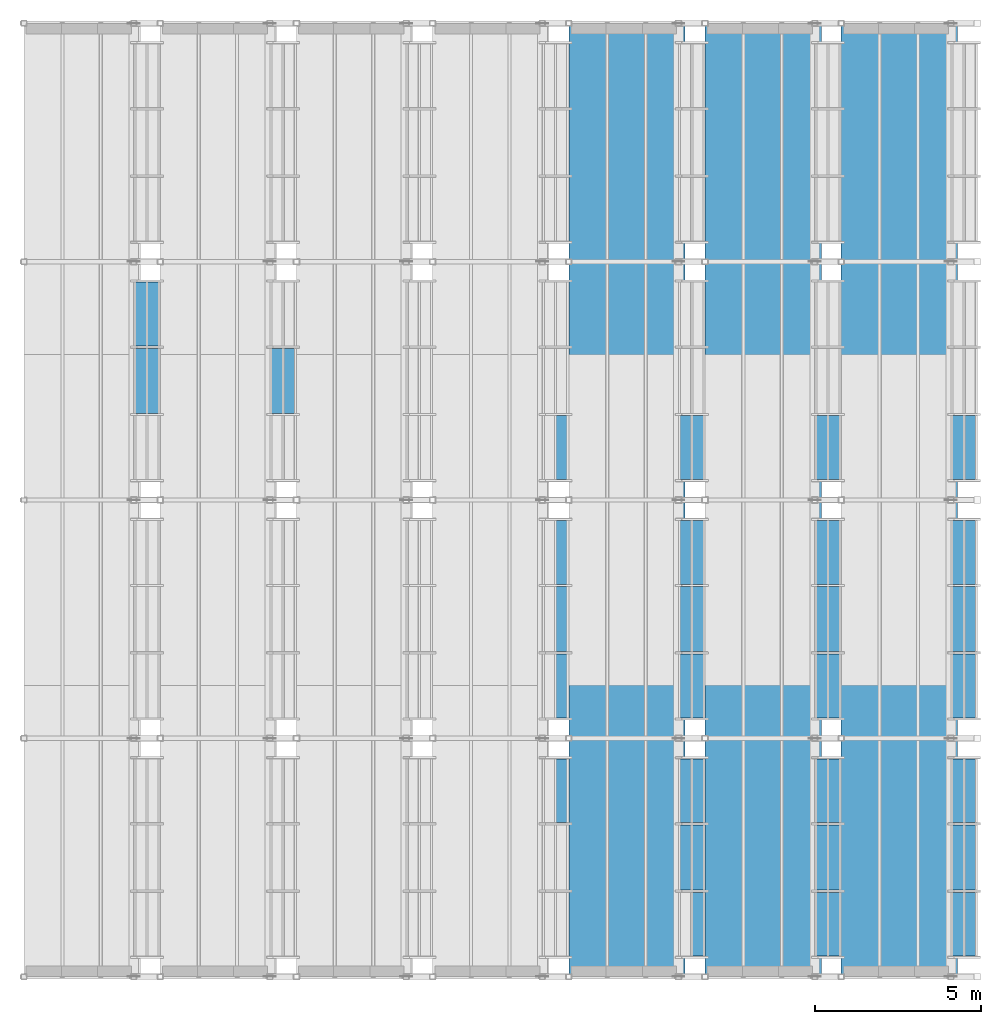
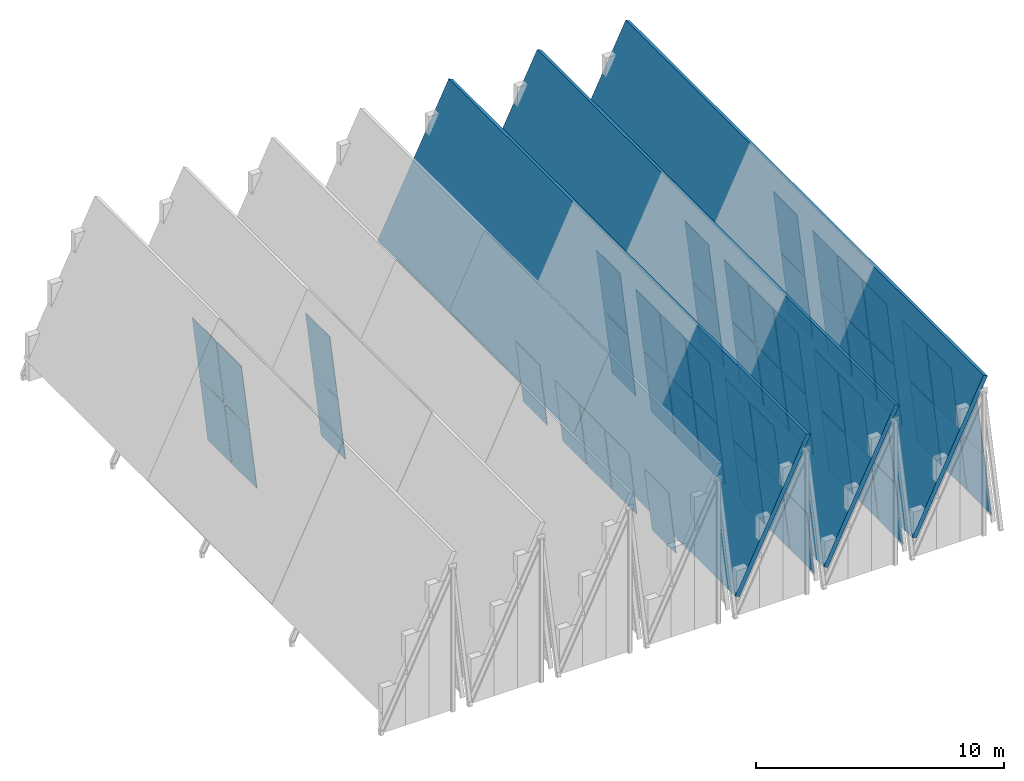
# One storey, part 15 of 28: 52 plates, 3 slabs, 14 elements without a shape of their own.
"""IFC4 building model written with IfcOpenShell, lengths in metres."""

from ifc_helpers import new_model, si_unit, direction, frame, origin, place, context, subcontext, project, spatial, polyline, outline, extrude, material, layer, layer_set, type_object, element, aggregate, save


model = new_model("IFC4")

# Units and contexts
model_context = context("Model", 3, precision=1e-05, world=origin(), true_north=direction((0.0, 1.0)))
body_context = subcontext(model_context, "Body", "Model", "MODEL_VIEW")
ifc_project = project(units=[si_unit("LENGTHUNIT", "METRE"), si_unit("AREAUNIT", "SQUARE_METRE"), si_unit("VOLUMEUNIT", "CUBIC_METRE"), si_unit("PLANEANGLEUNIT", "RADIAN"), si_unit("MASSUNIT", "GRAM", prefix="KILO")], contexts=[model_context])

# Site, building, storey
site_placement = place(None, origin())
site = spatial("IfcSite", under=ifc_project, at=site_placement, CompositionType="ELEMENT")
building_placement = place(site_placement, origin())
building = spatial("IfcBuilding", under=site, at=building_placement, Name="Bramveld Media Centre", CompositionType="ELEMENT")
storey_placement = place(building_placement, frame((0.0, 0.0, 33.89990234375)))
storey = spatial("IfcBuildingStorey", under=building, at=storey_placement, Name="ROOF", CompositionType="ELEMENT", Elevation=33.89990234375)

# Curtain wall, plates
ifc_material_1 = material(Name="Thermally broken anodized bronze aluminium unitized curtain wall with solar-control triple glazing", Category="aluminium")
curtain_wall_type = type_object("IfcCurtainWallType", Name="CW-CRN-6100x6941", PredefinedType="NOTDEFINED", material=ifc_material_1)
curtain_wall_1_placement = place(storey_placement, origin())
curtain_wall_1 = element("IfcCurtainWall", 1, at=curtain_wall_1_placement, inside=storey, type_object=curtain_wall_type, Name="V7 crown clerestory B1-S3", PredefinedType="NOTDEFINED")
ifc_material_2 = material(Name="Solar-control triple insulating safety glass unit", Category="glass")
ifc_layer_1 = layer(ifc_material_2, 0.028076171875)
ifc_layer_set_1 = layer_set([ifc_layer_1], Name="Solar-control triple insulating safety glass unit")
plate_type = type_object("IfcPlateType", Name="CW-PAN-SLP", PredefinedType="CURTAIN_PANEL", material=ifc_layer_set_1)
plate_1_placement = place(storey_placement, frame((135.2783203125, 100.21826171875, 0.290771484375), z_axis=(0.993328224304, 0.0, 0.115321458548), x_axis=(0.0, 1.0, 0.0)))
plate_1 = element("IfcPlate", 2, at=plate_1_placement, type_object=plate_type, Name="CW-CR-6169 glass panel 2.1", PredefinedType="CURTAIN_PANEL", context=body_context, shape_type="SweptSolid", body=[
    extrude(outline(polyline([(0.0, 0.0), (1.96337890625, 0.0), (1.96337890625, 3.122640195590072), (0.0, 3.122640195590072), (0.0, 0.0)])), origin(), (0.0, 0.0, -1.0), 0.028076171875),
])
plate_2_placement = place(storey_placement, frame((134.910400390625, 100.21826171875, 3.462158203125), z_axis=(0.993329263955, 0.0, 0.115312503096), x_axis=(0.0, 1.0, 0.0)))
plate_2 = element("IfcPlate", 3, at=plate_2_placement, type_object=plate_type, Name="CW-CR-6169 glass panel 2.2", PredefinedType="CURTAIN_PANEL", context=body_context, shape_type="SweptSolid", body=[
    extrude(outline(polyline([(0.0, 0.0), (1.96337890625, 0.0), (1.96337890625, 3.1228827074904997), (0.0, 3.1228827074904997), (0.0, 0.0)])), origin(), (0.0, 0.0, -1.0), 0.028076171875),
])
plate_3_placement = place(storey_placement, frame((135.2783203125, 102.251708984375, 0.290771484375), z_axis=(0.993328224304, 0.0, 0.115321458548), x_axis=(0.0, 1.0, 0.0)))
plate_3 = element("IfcPlate", 4, at=plate_3_placement, type_object=plate_type, Name="CW-CR-6169 glass panel 3.1", PredefinedType="CURTAIN_PANEL", context=body_context, shape_type="SweptSolid", body=[
    extrude(outline(polyline([(0.0, 0.0), (1.92822265625, 0.0), (1.92822265625, 3.1226401955900727), (0.0, 3.1226401955900727), (0.0, 0.0)])), origin(), (0.0, 0.0, -1.0), 0.028076171875),
])
plate_4_placement = place(storey_placement, frame((134.910400390625, 102.251708984375, 3.462158203125), z_axis=(0.993329263955, 0.0, 0.115312503096), x_axis=(0.0, 1.0, 0.0)))
plate_4 = element("IfcPlate", 5, at=plate_4_placement, type_object=plate_type, Name="CW-CR-6169 glass panel 3.2", PredefinedType="CURTAIN_PANEL", context=body_context, shape_type="SweptSolid", body=[
    extrude(outline(polyline([(0.0, 0.0), (1.92822265625, 0.0), (1.92822265625, 3.1228827074904997), (0.0, 3.1228827074904997), (0.0, 0.0)])), origin(), (0.0, 0.0, -1.0), 0.028076171875),
])
aggregate(curtain_wall_1, [plate_1, plate_2, plate_3, plate_4])

curtain_wall_2_placement = place(storey_placement, origin())
curtain_wall_2 = element("IfcCurtainWall", 6, at=curtain_wall_2_placement, inside=storey, type_object=curtain_wall_type, Name="V7 crown clerestory B2-S3", PredefinedType="NOTDEFINED")
plate_5_placement = place(storey_placement, frame((139.392578125, 100.21826171875, 0.290771484375), z_axis=(0.993337177532, 0.0, 0.115244313237), x_axis=(0.0, 1.0, 0.0)))
plate_5 = element("IfcPlate", 7, at=plate_5_placement, type_object=plate_type, Name="CW-CR-6169 glass panel 2.1", PredefinedType="CURTAIN_PANEL", context=body_context, shape_type="SweptSolid", body=[
    extrude(outline(polyline([(0.0, 0.0), (1.96337890625, 0.0), (1.96337890625, 3.122612050354217), (0.0, 3.122612050354217), (0.0, 0.0)])), origin(), (0.0, 0.0, -1.0), 0.028076171875),
])
plate_6_placement = place(storey_placement, frame((139.024658203125, 100.21826171875, 3.462158203125), z_axis=(0.993329263955, 0.0, 0.115312503096), x_axis=(0.0, 1.0, 0.0)))
plate_6 = element("IfcPlate", 8, at=plate_6_placement, type_object=plate_type, Name="CW-CR-6169 glass panel 2.2", PredefinedType="CURTAIN_PANEL", context=body_context, shape_type="SweptSolid", body=[
    extrude(outline(polyline([(0.0, 0.0), (1.96337890625, 0.0), (1.96337890625, 3.1228827074904997), (0.0, 3.1228827074904997), (0.0, 0.0)])), origin(), (0.0, 0.0, -1.0), 0.028076171875),
])
aggregate(curtain_wall_2, [plate_5, plate_6])

# Curtain wall, plate
curtain_wall_3_placement = place(storey_placement, origin())
curtain_wall_3 = element("IfcCurtainWall", 9, at=curtain_wall_3_placement, inside=storey, type_object=curtain_wall_type, Name="V7 crown clerestory B4-S1", PredefinedType="NOTDEFINED")
plate_7_placement = place(storey_placement, frame((147.62109375, 87.851806640625, 0.290771484375), z_axis=(0.993337177532, 0.0, 0.115244313237), x_axis=(0.0, 1.0, 0.0)))
plate_7 = element("IfcPlate", 10, at=plate_7_placement, type_object=plate_type, Name="CW-CR-6169 glass panel 3.1", PredefinedType="CURTAIN_PANEL", context=body_context, shape_type="SweptSolid", body=[
    extrude(outline(polyline([(0.0, 0.0), (1.92822265625, 0.0), (1.92822265625, 3.122612050354217), (0.0, 3.122612050354217), (0.0, 0.0)])), origin(), (0.0, 0.0, -1.0), 0.028076171875),
])
aggregate(curtain_wall_3, [plate_7])

# Curtain wall, plates
curtain_wall_4_placement = place(storey_placement, origin())
curtain_wall_4 = element("IfcCurtainWall", 11, at=curtain_wall_4_placement, inside=storey, type_object=curtain_wall_type, Name="V7 crown clerestory B4-S2", PredefinedType="NOTDEFINED")
plate_8_placement = place(storey_placement, frame((147.62109375, 91.02001953125, 0.290771484375), z_axis=(0.993337177532, 0.0, 0.115244313237), x_axis=(0.0, 1.0, 0.0)))
plate_8 = element("IfcPlate", 12, at=plate_8_placement, type_object=plate_type, Name="CW-CR-6169 glass panel 1.1", PredefinedType="CURTAIN_PANEL", context=body_context, shape_type="SweptSolid", body=[
    extrude(outline(polyline([(0.0, 0.0), (1.92822265625, 0.0), (1.92822265625, 3.122612050354217), (0.0, 3.122612050354217), (0.0, 0.0)])), origin(), (0.0, 0.0, -1.0), 0.028076171875),
])
plate_9_placement = place(storey_placement, frame((147.62109375, 93.018310546875, 0.290771484375), z_axis=(0.993337177532, 0.0, 0.115244313237), x_axis=(0.0, 1.0, 0.0)))
plate_9 = element("IfcPlate", 13, at=plate_9_placement, type_object=plate_type, Name="CW-CR-6169 glass panel 2.1", PredefinedType="CURTAIN_PANEL", context=body_context, shape_type="SweptSolid", body=[
    extrude(outline(polyline([(0.0, 0.0), (1.96337890625, 0.0), (1.96337890625, 3.122612050354217), (0.0, 3.122612050354217), (0.0, 0.0)])), origin(), (0.0, 0.0, -1.0), 0.028076171875),
])
plate_10_placement = place(storey_placement, frame((147.62109375, 95.0517578125, 0.290771484375), z_axis=(0.993337177532, 0.0, 0.115244313237), x_axis=(0.0, 1.0, 0.0)))
plate_10 = element("IfcPlate", 14, at=plate_10_placement, type_object=plate_type, Name="CW-CR-6169 glass panel 3.1", PredefinedType="CURTAIN_PANEL", context=body_context, shape_type="SweptSolid", body=[
    extrude(outline(polyline([(0.0, 0.0), (1.92822265625, 0.0), (1.92822265625, 3.122612050354217), (0.0, 3.122612050354217), (0.0, 0.0)])), origin(), (0.0, 0.0, -1.0), 0.028076171875),
])
aggregate(curtain_wall_4, [plate_8, plate_9, plate_10])

# Curtain wall, plate
curtain_wall_5_placement = place(storey_placement, origin())
curtain_wall_5 = element("IfcCurtainWall", 15, at=curtain_wall_5_placement, inside=storey, type_object=curtain_wall_type, Name="V7 crown clerestory B4-S3", PredefinedType="NOTDEFINED")
plate_11_placement = place(storey_placement, frame((147.62109375, 98.219970703125, 0.290771484375), z_axis=(0.993337177532, 0.0, 0.115244313237), x_axis=(0.0, 1.0, 0.0)))
plate_11 = element("IfcPlate", 16, at=plate_11_placement, type_object=plate_type, Name="CW-CR-6169 glass panel 1.1", PredefinedType="CURTAIN_PANEL", context=body_context, shape_type="SweptSolid", body=[
    extrude(outline(polyline([(0.0, 0.0), (1.92822265625, 0.0), (1.92822265625, 3.122612050354217), (0.0, 3.122612050354217), (0.0, 0.0)])), origin(), (0.0, 0.0, -1.0), 0.028076171875),
])
aggregate(curtain_wall_5, [plate_11])

# Curtain wall, plates
curtain_wall_6_placement = place(storey_placement, origin())
curtain_wall_6 = element("IfcCurtainWall", 17, at=curtain_wall_6_placement, inside=storey, type_object=curtain_wall_type, Name="V7 crown clerestory B5-S1", PredefinedType="NOTDEFINED")
plate_12_placement = place(storey_placement, frame((151.7353515625, 83.820068359375, 0.290771484375), z_axis=(0.993337177532, 0.0, 0.115244313237), x_axis=(0.0, 1.0, 0.0)))
plate_12 = element("IfcPlate", 18, at=plate_12_placement, type_object=plate_type, Name="CW-CR-6169 glass panel 1.1", PredefinedType="CURTAIN_PANEL", context=body_context, shape_type="SweptSolid", body=[
    extrude(outline(polyline([(0.0, 0.0), (1.92822265625, 0.0), (1.92822265625, 3.122612050354217), (0.0, 3.122612050354217), (0.0, 0.0)])), origin(), (0.0, 0.0, -1.0), 0.028076171875),
])
plate_13_placement = place(storey_placement, frame((151.7353515625, 85.818359375, 0.290771484375), z_axis=(0.993337177532, 0.0, 0.115244313237), x_axis=(0.0, 1.0, 0.0)))
plate_13 = element("IfcPlate", 19, at=plate_13_placement, type_object=plate_type, Name="CW-CR-6169 glass panel 2.1", PredefinedType="CURTAIN_PANEL", context=body_context, shape_type="SweptSolid", body=[
    extrude(outline(polyline([(0.0, 0.0), (1.96337890625, 0.0), (1.96337890625, 3.122612050354217), (0.0, 3.122612050354217), (0.0, 0.0)])), origin(), (0.0, 0.0, -1.0), 0.028076171875),
])
plate_14_placement = place(storey_placement, frame((151.367431640625, 85.818359375, 3.462158203125), z_axis=(0.993329263955, 0.0, 0.115312503096), x_axis=(0.0, 1.0, 0.0)))
plate_14 = element("IfcPlate", 20, at=plate_14_placement, type_object=plate_type, Name="CW-CR-6169 glass panel 2.2", PredefinedType="CURTAIN_PANEL", context=body_context, shape_type="SweptSolid", body=[
    extrude(outline(polyline([(0.0, 0.0), (1.96337890625, 0.0), (1.96337890625, 3.1228827074904997), (0.0, 3.1228827074904997), (0.0, 0.0)])), origin(), (0.0, 0.0, -1.0), 0.028076171875),
])
plate_15_placement = place(storey_placement, frame((151.7353515625, 87.851806640625, 0.290771484375), z_axis=(0.993337177532, 0.0, 0.115244313237), x_axis=(0.0, 1.0, 0.0)))
plate_15 = element("IfcPlate", 21, at=plate_15_placement, type_object=plate_type, Name="CW-CR-6169 glass panel 3.1", PredefinedType="CURTAIN_PANEL", context=body_context, shape_type="SweptSolid", body=[
    extrude(outline(polyline([(0.0, 0.0), (1.92822265625, 0.0), (1.92822265625, 3.122612050354217), (0.0, 3.122612050354217), (0.0, 0.0)])), origin(), (0.0, 0.0, -1.0), 0.028076171875),
])
plate_16_placement = place(storey_placement, frame((151.367431640625, 87.851806640625, 3.462158203125), z_axis=(0.993329263955, 0.0, 0.115312503096), x_axis=(0.0, 1.0, 0.0)))
plate_16 = element("IfcPlate", 22, at=plate_16_placement, type_object=plate_type, Name="CW-CR-6169 glass panel 3.2", PredefinedType="CURTAIN_PANEL", context=body_context, shape_type="SweptSolid", body=[
    extrude(outline(polyline([(0.0, 0.0), (1.92822265625, 0.0), (1.92822265625, 3.1228827074904997), (0.0, 3.1228827074904997), (0.0, 0.0)])), origin(), (0.0, 0.0, -1.0), 0.028076171875),
])
aggregate(curtain_wall_6, [plate_12, plate_13, plate_14, plate_15, plate_16])

curtain_wall_7_placement = place(storey_placement, origin())
curtain_wall_7 = element("IfcCurtainWall", 23, at=curtain_wall_7_placement, inside=storey, type_object=curtain_wall_type, Name="V7 crown clerestory B5-S2", PredefinedType="NOTDEFINED")
plate_17_placement = place(storey_placement, frame((151.7353515625, 91.02001953125, 0.290771484375), z_axis=(0.993337177532, 0.0, 0.115244313237), x_axis=(0.0, 1.0, 0.0)))
plate_17 = element("IfcPlate", 24, at=plate_17_placement, type_object=plate_type, Name="CW-CR-6169 glass panel 1.1", PredefinedType="CURTAIN_PANEL", context=body_context, shape_type="SweptSolid", body=[
    extrude(outline(polyline([(0.0, 0.0), (1.92822265625, 0.0), (1.92822265625, 3.122612050354217), (0.0, 3.122612050354217), (0.0, 0.0)])), origin(), (0.0, 0.0, -1.0), 0.028076171875),
])
plate_18_placement = place(storey_placement, frame((151.367431640625, 91.02001953125, 3.462158203125), z_axis=(0.993329263955, 0.0, 0.115312503096), x_axis=(0.0, 1.0, 0.0)))
plate_18 = element("IfcPlate", 25, at=plate_18_placement, type_object=plate_type, Name="CW-CR-6169 glass panel 1.2", PredefinedType="CURTAIN_PANEL", context=body_context, shape_type="SweptSolid", body=[
    extrude(outline(polyline([(0.0, 0.0), (1.92822265625, 0.0), (1.92822265625, 3.1228827074904997), (0.0, 3.1228827074904997), (0.0, 0.0)])), origin(), (0.0, 0.0, -1.0), 0.028076171875),
])
plate_19_placement = place(storey_placement, frame((151.7353515625, 93.018310546875, 0.290771484375), z_axis=(0.993337177532, 0.0, 0.115244313237), x_axis=(0.0, 1.0, 0.0)))
plate_19 = element("IfcPlate", 26, at=plate_19_placement, type_object=plate_type, Name="CW-CR-6169 glass panel 2.1", PredefinedType="CURTAIN_PANEL", context=body_context, shape_type="SweptSolid", body=[
    extrude(outline(polyline([(0.0, 0.0), (1.96337890625, 0.0), (1.96337890625, 3.122612050354217), (0.0, 3.122612050354217), (0.0, 0.0)])), origin(), (0.0, 0.0, -1.0), 0.028076171875),
])
plate_20_placement = place(storey_placement, frame((151.367431640625, 93.018310546875, 3.462158203125), z_axis=(0.993329263955, 0.0, 0.115312503096), x_axis=(0.0, 1.0, 0.0)))
plate_20 = element("IfcPlate", 27, at=plate_20_placement, type_object=plate_type, Name="CW-CR-6169 glass panel 2.2", PredefinedType="CURTAIN_PANEL", context=body_context, shape_type="SweptSolid", body=[
    extrude(outline(polyline([(0.0, 0.0), (1.96337890625, 0.0), (1.96337890625, 3.1228827074904997), (0.0, 3.1228827074904997), (0.0, 0.0)])), origin(), (0.0, 0.0, -1.0), 0.028076171875),
])
plate_21_placement = place(storey_placement, frame((151.7353515625, 95.0517578125, 0.290771484375), z_axis=(0.993337177532, 0.0, 0.115244313237), x_axis=(0.0, 1.0, 0.0)))
plate_21 = element("IfcPlate", 28, at=plate_21_placement, type_object=plate_type, Name="CW-CR-6169 glass panel 3.1", PredefinedType="CURTAIN_PANEL", context=body_context, shape_type="SweptSolid", body=[
    extrude(outline(polyline([(0.0, 0.0), (1.92822265625, 0.0), (1.92822265625, 3.122612050354217), (0.0, 3.122612050354217), (0.0, 0.0)])), origin(), (0.0, 0.0, -1.0), 0.028076171875),
])
plate_22_placement = place(storey_placement, frame((151.367431640625, 95.0517578125, 3.462158203125), z_axis=(0.993329263955, 0.0, 0.115312503096), x_axis=(0.0, 1.0, 0.0)))
plate_22 = element("IfcPlate", 29, at=plate_22_placement, type_object=plate_type, Name="CW-CR-6169 glass panel 3.2", PredefinedType="CURTAIN_PANEL", context=body_context, shape_type="SweptSolid", body=[
    extrude(outline(polyline([(0.0, 0.0), (1.92822265625, 0.0), (1.92822265625, 3.1228827074904997), (0.0, 3.1228827074904997), (0.0, 0.0)])), origin(), (0.0, 0.0, -1.0), 0.028076171875),
])
aggregate(curtain_wall_7, [plate_17, plate_18, plate_19, plate_20, plate_21, plate_22])

curtain_wall_8_placement = place(storey_placement, origin())
curtain_wall_8 = element("IfcCurtainWall", 30, at=curtain_wall_8_placement, inside=storey, type_object=curtain_wall_type, Name="V7 crown clerestory B5-S3", PredefinedType="NOTDEFINED")
plate_23_placement = place(storey_placement, frame((151.7353515625, 98.219970703125, 0.290771484375), z_axis=(0.993337177532, 0.0, 0.115244313237), x_axis=(0.0, 1.0, 0.0)))
plate_23 = element("IfcPlate", 31, at=plate_23_placement, type_object=plate_type, Name="CW-CR-6169 glass panel 1.1", PredefinedType="CURTAIN_PANEL", context=body_context, shape_type="SweptSolid", body=[
    extrude(outline(polyline([(0.0, 0.0), (1.92822265625, 0.0), (1.92822265625, 3.122612050354217), (0.0, 3.122612050354217), (0.0, 0.0)])), origin(), (0.0, 0.0, -1.0), 0.028076171875),
])
plate_24_placement = place(storey_placement, frame((151.367431640625, 98.219970703125, 3.462158203125), z_axis=(0.993329263955, 0.0, 0.115312503096), x_axis=(0.0, 1.0, 0.0)))
plate_24 = element("IfcPlate", 32, at=plate_24_placement, type_object=plate_type, Name="CW-CR-6169 glass panel 1.2", PredefinedType="CURTAIN_PANEL", context=body_context, shape_type="SweptSolid", body=[
    extrude(outline(polyline([(0.0, 0.0), (1.92822265625, 0.0), (1.92822265625, 3.1228827074904997), (0.0, 3.1228827074904997), (0.0, 0.0)])), origin(), (0.0, 0.0, -1.0), 0.028076171875),
])
aggregate(curtain_wall_8, [plate_23, plate_24])

curtain_wall_9_placement = place(storey_placement, origin())
curtain_wall_9 = element("IfcCurtainWall", 33, at=curtain_wall_9_placement, inside=storey, type_object=curtain_wall_type, Name="V7 crown clerestory B6-S1", PredefinedType="NOTDEFINED")
plate_25_placement = place(storey_placement, frame((155.849609375, 83.820068359375, 0.290771484375), z_axis=(0.993337177532, 0.0, 0.115244313237), x_axis=(0.0, 1.0, 0.0)))
plate_25 = element("IfcPlate", 34, at=plate_25_placement, type_object=plate_type, Name="CW-CR-6169 glass panel 1.1", PredefinedType="CURTAIN_PANEL", context=body_context, shape_type="SweptSolid", body=[
    extrude(outline(polyline([(0.0, 0.0), (1.92822265625, 0.0), (1.92822265625, 3.122612050354217), (0.0, 3.122612050354217), (0.0, 0.0)])), origin(), (0.0, 0.0, -1.0), 0.028076171875),
])
plate_26_placement = place(storey_placement, frame((155.481689453125, 83.820068359375, 3.462158203125), z_axis=(0.993329263955, 0.0, 0.115312503096), x_axis=(0.0, 1.0, 0.0)))
plate_26 = element("IfcPlate", 35, at=plate_26_placement, type_object=plate_type, Name="CW-CR-6169 glass panel 1.2", PredefinedType="CURTAIN_PANEL", context=body_context, shape_type="SweptSolid", body=[
    extrude(outline(polyline([(0.0, 0.0), (1.92822265625, 0.0), (1.92822265625, 3.1228827074904997), (0.0, 3.1228827074904997), (0.0, 0.0)])), origin(), (0.0, 0.0, -1.0), 0.028076171875),
])
plate_27_placement = place(storey_placement, frame((155.849609375, 85.818359375, 0.290771484375), z_axis=(0.993337177532, 0.0, 0.115244313237), x_axis=(0.0, 1.0, 0.0)))
plate_27 = element("IfcPlate", 36, at=plate_27_placement, type_object=plate_type, Name="CW-CR-6169 glass panel 2.1", PredefinedType="CURTAIN_PANEL", context=body_context, shape_type="SweptSolid", body=[
    extrude(outline(polyline([(0.0, 0.0), (1.96337890625, 0.0), (1.96337890625, 3.122612050354217), (0.0, 3.122612050354217), (0.0, 0.0)])), origin(), (0.0, 0.0, -1.0), 0.028076171875),
])
plate_28_placement = place(storey_placement, frame((155.481689453125, 85.818359375, 3.462158203125), z_axis=(0.993329263955, 0.0, 0.115312503096), x_axis=(0.0, 1.0, 0.0)))
plate_28 = element("IfcPlate", 37, at=plate_28_placement, type_object=plate_type, Name="CW-CR-6169 glass panel 2.2", PredefinedType="CURTAIN_PANEL", context=body_context, shape_type="SweptSolid", body=[
    extrude(outline(polyline([(0.0, 0.0), (1.96337890625, 0.0), (1.96337890625, 3.1228827074904997), (0.0, 3.1228827074904997), (0.0, 0.0)])), origin(), (0.0, 0.0, -1.0), 0.028076171875),
])
plate_29_placement = place(storey_placement, frame((155.849609375, 87.851806640625, 0.290771484375), z_axis=(0.993337177532, 0.0, 0.115244313237), x_axis=(0.0, 1.0, 0.0)))
plate_29 = element("IfcPlate", 38, at=plate_29_placement, type_object=plate_type, Name="CW-CR-6169 glass panel 3.1", PredefinedType="CURTAIN_PANEL", context=body_context, shape_type="SweptSolid", body=[
    extrude(outline(polyline([(0.0, 0.0), (1.92822265625, 0.0), (1.92822265625, 3.122612050354217), (0.0, 3.122612050354217), (0.0, 0.0)])), origin(), (0.0, 0.0, -1.0), 0.028076171875),
])
plate_30_placement = place(storey_placement, frame((155.481689453125, 87.851806640625, 3.462158203125), z_axis=(0.993329263955, 0.0, 0.115312503096), x_axis=(0.0, 1.0, 0.0)))
plate_30 = element("IfcPlate", 39, at=plate_30_placement, type_object=plate_type, Name="CW-CR-6169 glass panel 3.2", PredefinedType="CURTAIN_PANEL", context=body_context, shape_type="SweptSolid", body=[
    extrude(outline(polyline([(0.0, 0.0), (1.92822265625, 0.0), (1.92822265625, 3.1228827074904997), (0.0, 3.1228827074904997), (0.0, 0.0)])), origin(), (0.0, 0.0, -1.0), 0.028076171875),
])
aggregate(curtain_wall_9, [plate_25, plate_26, plate_27, plate_28, plate_29, plate_30])

curtain_wall_10_placement = place(storey_placement, origin())
curtain_wall_10 = element("IfcCurtainWall", 40, at=curtain_wall_10_placement, inside=storey, type_object=curtain_wall_type, Name="V7 crown clerestory B6-S2", PredefinedType="NOTDEFINED")
plate_31_placement = place(storey_placement, frame((155.849609375, 91.02001953125, 0.290771484375), z_axis=(0.993337177532, 0.0, 0.115244313237), x_axis=(0.0, 1.0, 0.0)))
plate_31 = element("IfcPlate", 41, at=plate_31_placement, type_object=plate_type, Name="CW-CR-6169 glass panel 1.1", PredefinedType="CURTAIN_PANEL", context=body_context, shape_type="SweptSolid", body=[
    extrude(outline(polyline([(0.0, 0.0), (1.92822265625, 0.0), (1.92822265625, 3.122612050354217), (0.0, 3.122612050354217), (0.0, 0.0)])), origin(), (0.0, 0.0, -1.0), 0.028076171875),
])
plate_32_placement = place(storey_placement, frame((155.481689453125, 91.02001953125, 3.462158203125), z_axis=(0.993329263955, 0.0, 0.115312503096), x_axis=(0.0, 1.0, 0.0)))
plate_32 = element("IfcPlate", 42, at=plate_32_placement, type_object=plate_type, Name="CW-CR-6169 glass panel 1.2", PredefinedType="CURTAIN_PANEL", context=body_context, shape_type="SweptSolid", body=[
    extrude(outline(polyline([(0.0, 0.0), (1.92822265625, 0.0), (1.92822265625, 3.1228827074904997), (0.0, 3.1228827074904997), (0.0, 0.0)])), origin(), (0.0, 0.0, -1.0), 0.028076171875),
])
plate_33_placement = place(storey_placement, frame((155.849609375, 93.018310546875, 0.290771484375), z_axis=(0.993337177532, 0.0, 0.115244313237), x_axis=(0.0, 1.0, 0.0)))
plate_33 = element("IfcPlate", 43, at=plate_33_placement, type_object=plate_type, Name="CW-CR-6169 glass panel 2.1", PredefinedType="CURTAIN_PANEL", context=body_context, shape_type="SweptSolid", body=[
    extrude(outline(polyline([(0.0, 0.0), (1.96337890625, 0.0), (1.96337890625, 3.122612050354217), (0.0, 3.122612050354217), (0.0, 0.0)])), origin(), (0.0, 0.0, -1.0), 0.028076171875),
])
plate_34_placement = place(storey_placement, frame((155.481689453125, 93.018310546875, 3.462158203125), z_axis=(0.993329263955, 0.0, 0.115312503096), x_axis=(0.0, 1.0, 0.0)))
plate_34 = element("IfcPlate", 44, at=plate_34_placement, type_object=plate_type, Name="CW-CR-6169 glass panel 2.2", PredefinedType="CURTAIN_PANEL", context=body_context, shape_type="SweptSolid", body=[
    extrude(outline(polyline([(0.0, 0.0), (1.96337890625, 0.0), (1.96337890625, 3.1228827074904997), (0.0, 3.1228827074904997), (0.0, 0.0)])), origin(), (0.0, 0.0, -1.0), 0.028076171875),
])
plate_35_placement = place(storey_placement, frame((155.849609375, 95.0517578125, 0.290771484375), z_axis=(0.993337177532, 0.0, 0.115244313237), x_axis=(0.0, 1.0, 0.0)))
plate_35 = element("IfcPlate", 45, at=plate_35_placement, type_object=plate_type, Name="CW-CR-6169 glass panel 3.1", PredefinedType="CURTAIN_PANEL", context=body_context, shape_type="SweptSolid", body=[
    extrude(outline(polyline([(0.0, 0.0), (1.92822265625, 0.0), (1.92822265625, 3.122612050354217), (0.0, 3.122612050354217), (0.0, 0.0)])), origin(), (0.0, 0.0, -1.0), 0.028076171875),
])
plate_36_placement = place(storey_placement, frame((155.481689453125, 95.0517578125, 3.462158203125), z_axis=(0.993329263955, 0.0, 0.115312503096), x_axis=(0.0, 1.0, 0.0)))
plate_36 = element("IfcPlate", 46, at=plate_36_placement, type_object=plate_type, Name="CW-CR-6169 glass panel 3.2", PredefinedType="CURTAIN_PANEL", context=body_context, shape_type="SweptSolid", body=[
    extrude(outline(polyline([(0.0, 0.0), (1.92822265625, 0.0), (1.92822265625, 3.1228827074904997), (0.0, 3.1228827074904997), (0.0, 0.0)])), origin(), (0.0, 0.0, -1.0), 0.028076171875),
])
aggregate(curtain_wall_10, [plate_31, plate_32, plate_33, plate_34, plate_35, plate_36])

curtain_wall_11_placement = place(storey_placement, origin())
curtain_wall_11 = element("IfcCurtainWall", 47, at=curtain_wall_11_placement, inside=storey, type_object=curtain_wall_type, Name="V7 crown clerestory B6-S3", PredefinedType="NOTDEFINED")
plate_37_placement = place(storey_placement, frame((155.849609375, 98.219970703125, 0.290771484375), z_axis=(0.993337177532, 0.0, 0.115244313237), x_axis=(0.0, 1.0, 0.0)))
plate_37 = element("IfcPlate", 48, at=plate_37_placement, type_object=plate_type, Name="CW-CR-6169 glass panel 1.1", PredefinedType="CURTAIN_PANEL", context=body_context, shape_type="SweptSolid", body=[
    extrude(outline(polyline([(0.0, 0.0), (1.92822265625, 0.0), (1.92822265625, 3.122612050354217), (0.0, 3.122612050354217), (0.0, 0.0)])), origin(), (0.0, 0.0, -1.0), 0.028076171875),
])
plate_38_placement = place(storey_placement, frame((155.481689453125, 98.219970703125, 3.462158203125), z_axis=(0.993329263955, 0.0, 0.115312503096), x_axis=(0.0, 1.0, 0.0)))
plate_38 = element("IfcPlate", 49, at=plate_38_placement, type_object=plate_type, Name="CW-CR-6169 glass panel 1.2", PredefinedType="CURTAIN_PANEL", context=body_context, shape_type="SweptSolid", body=[
    extrude(outline(polyline([(0.0, 0.0), (1.92822265625, 0.0), (1.92822265625, 3.1228827074904997), (0.0, 3.1228827074904997), (0.0, 0.0)])), origin(), (0.0, 0.0, -1.0), 0.028076171875),
])
aggregate(curtain_wall_11, [plate_37, plate_38])

curtain_wall_12_placement = place(storey_placement, origin())
curtain_wall_12 = element("IfcCurtainWall", 50, at=curtain_wall_12_placement, inside=storey, type_object=curtain_wall_type, Name="V7 crown clerestory B7-S1", PredefinedType="NOTDEFINED")
plate_39_placement = place(storey_placement, frame((159.964111328125, 83.820068359375, 0.290771484375), z_axis=(0.993328224304, 0.0, 0.115321458548), x_axis=(0.0, 1.0, 0.0)))
plate_39 = element("IfcPlate", 51, at=plate_39_placement, type_object=plate_type, Name="CW-CR-6169 glass panel 1.1", PredefinedType="CURTAIN_PANEL", context=body_context, shape_type="SweptSolid", body=[
    extrude(outline(polyline([(0.0, 0.0), (1.92822265625, 0.0), (1.92822265625, 3.1226401955900727), (0.0, 3.1226401955900727), (0.0, 0.0)])), origin(), (0.0, 0.0, -1.0), 0.028076171875),
])
plate_40_placement = place(storey_placement, frame((159.595947265625, 83.820068359375, 3.462158203125), z_axis=(0.993338215802, 0.0, 0.115235363615), x_axis=(0.0, 1.0, 0.0)))
plate_40 = element("IfcPlate", 52, at=plate_40_placement, type_object=plate_type, Name="CW-CR-6169 glass panel 1.2", PredefinedType="CURTAIN_PANEL", context=body_context, shape_type="SweptSolid", body=[
    extrude(outline(polyline([(0.0, 0.0), (1.92822265625, 0.0), (1.92822265625, 3.1228545644403223), (0.0, 3.1228545644403223), (0.0, 0.0)])), origin(), (0.0, 0.0, -1.0), 0.028076171875),
])
plate_41_placement = place(storey_placement, frame((159.964111328125, 85.818359375, 0.290771484375), z_axis=(0.993328224304, 0.0, 0.115321458548), x_axis=(0.0, 1.0, 0.0)))
plate_41 = element("IfcPlate", 53, at=plate_41_placement, type_object=plate_type, Name="CW-CR-6169 glass panel 2.1", PredefinedType="CURTAIN_PANEL", context=body_context, shape_type="SweptSolid", body=[
    extrude(outline(polyline([(0.0, 0.0), (1.96337890625, 0.0), (1.96337890625, 3.122640195590072), (0.0, 3.122640195590072), (0.0, 0.0)])), origin(), (0.0, 0.0, -1.0), 0.028076171875),
])
plate_42_placement = place(storey_placement, frame((159.595947265625, 85.818359375, 3.462158203125), z_axis=(0.993338215802, 0.0, 0.115235363615), x_axis=(0.0, 1.0, 0.0)))
plate_42 = element("IfcPlate", 54, at=plate_42_placement, type_object=plate_type, Name="CW-CR-6169 glass panel 2.2", PredefinedType="CURTAIN_PANEL", context=body_context, shape_type="SweptSolid", body=[
    extrude(outline(polyline([(0.0, 0.0), (1.96337890625, 0.0), (1.96337890625, 3.122854564440322), (0.0, 3.122854564440322), (0.0, 0.0)])), origin(), (0.0, 0.0, -1.0), 0.028076171875),
])
plate_43_placement = place(storey_placement, frame((159.964111328125, 87.851806640625, 0.290771484375), z_axis=(0.993328224304, 0.0, 0.115321458548), x_axis=(0.0, 1.0, 0.0)))
plate_43 = element("IfcPlate", 55, at=plate_43_placement, type_object=plate_type, Name="CW-CR-6169 glass panel 3.1", PredefinedType="CURTAIN_PANEL", context=body_context, shape_type="SweptSolid", body=[
    extrude(outline(polyline([(0.0, 0.0), (1.92822265625, 0.0), (1.92822265625, 3.1226401955900727), (0.0, 3.1226401955900727), (0.0, 0.0)])), origin(), (0.0, 0.0, -1.0), 0.028076171875),
])
plate_44_placement = place(storey_placement, frame((159.595947265625, 87.851806640625, 3.462158203125), z_axis=(0.993338215802, 0.0, 0.115235363615), x_axis=(0.0, 1.0, 0.0)))
plate_44 = element("IfcPlate", 56, at=plate_44_placement, type_object=plate_type, Name="CW-CR-6169 glass panel 3.2", PredefinedType="CURTAIN_PANEL", context=body_context, shape_type="SweptSolid", body=[
    extrude(outline(polyline([(0.0, 0.0), (1.92822265625, 0.0), (1.92822265625, 3.1228545644403223), (0.0, 3.1228545644403223), (0.0, 0.0)])), origin(), (0.0, 0.0, -1.0), 0.028076171875),
])
aggregate(curtain_wall_12, [plate_39, plate_40, plate_41, plate_42, plate_43, plate_44])

curtain_wall_13_placement = place(storey_placement, origin())
curtain_wall_13 = element("IfcCurtainWall", 57, at=curtain_wall_13_placement, inside=storey, type_object=curtain_wall_type, Name="V7 crown clerestory B7-S2", PredefinedType="NOTDEFINED")
plate_45_placement = place(storey_placement, frame((159.964111328125, 91.02001953125, 0.290771484375), z_axis=(0.993328224304, 0.0, 0.115321458548), x_axis=(0.0, 1.0, 0.0)))
plate_45 = element("IfcPlate", 58, at=plate_45_placement, type_object=plate_type, Name="CW-CR-6169 glass panel 1.1", PredefinedType="CURTAIN_PANEL", context=body_context, shape_type="SweptSolid", body=[
    extrude(outline(polyline([(0.0, 0.0), (1.92822265625, 0.0), (1.92822265625, 3.1226401955900727), (0.0, 3.1226401955900727), (0.0, 0.0)])), origin(), (0.0, 0.0, -1.0), 0.028076171875),
])
plate_46_placement = place(storey_placement, frame((159.595947265625, 91.02001953125, 3.462158203125), z_axis=(0.993338215802, 0.0, 0.115235363615), x_axis=(0.0, 1.0, 0.0)))
plate_46 = element("IfcPlate", 59, at=plate_46_placement, type_object=plate_type, Name="CW-CR-6169 glass panel 1.2", PredefinedType="CURTAIN_PANEL", context=body_context, shape_type="SweptSolid", body=[
    extrude(outline(polyline([(0.0, 0.0), (1.92822265625, 0.0), (1.92822265625, 3.1228545644403223), (0.0, 3.1228545644403223), (0.0, 0.0)])), origin(), (0.0, 0.0, -1.0), 0.028076171875),
])
plate_47_placement = place(storey_placement, frame((159.964111328125, 93.018310546875, 0.290771484375), z_axis=(0.993328224304, 0.0, 0.115321458548), x_axis=(0.0, 1.0, 0.0)))
plate_47 = element("IfcPlate", 60, at=plate_47_placement, type_object=plate_type, Name="CW-CR-6169 glass panel 2.1", PredefinedType="CURTAIN_PANEL", context=body_context, shape_type="SweptSolid", body=[
    extrude(outline(polyline([(0.0, 0.0), (1.96337890625, 0.0), (1.96337890625, 3.122640195590072), (0.0, 3.122640195590072), (0.0, 0.0)])), origin(), (0.0, 0.0, -1.0), 0.028076171875),
])
plate_48_placement = place(storey_placement, frame((159.595947265625, 93.018310546875, 3.462158203125), z_axis=(0.993338215802, 0.0, 0.115235363615), x_axis=(0.0, 1.0, 0.0)))
plate_48 = element("IfcPlate", 61, at=plate_48_placement, type_object=plate_type, Name="CW-CR-6169 glass panel 2.2", PredefinedType="CURTAIN_PANEL", context=body_context, shape_type="SweptSolid", body=[
    extrude(outline(polyline([(0.0, 0.0), (1.96337890625, 0.0), (1.96337890625, 3.122854564440322), (0.0, 3.122854564440322), (0.0, 0.0)])), origin(), (0.0, 0.0, -1.0), 0.028076171875),
])
plate_49_placement = place(storey_placement, frame((159.964111328125, 95.0517578125, 0.290771484375), z_axis=(0.993328224304, 0.0, 0.115321458548), x_axis=(0.0, 1.0, 0.0)))
plate_49 = element("IfcPlate", 62, at=plate_49_placement, type_object=plate_type, Name="CW-CR-6169 glass panel 3.1", PredefinedType="CURTAIN_PANEL", context=body_context, shape_type="SweptSolid", body=[
    extrude(outline(polyline([(0.0, 0.0), (1.92822265625, 0.0), (1.92822265625, 3.1226401955900727), (0.0, 3.1226401955900727), (0.0, 0.0)])), origin(), (0.0, 0.0, -1.0), 0.028076171875),
])
plate_50_placement = place(storey_placement, frame((159.595947265625, 95.0517578125, 3.462158203125), z_axis=(0.993338215802, 0.0, 0.115235363615), x_axis=(0.0, 1.0, 0.0)))
plate_50 = element("IfcPlate", 63, at=plate_50_placement, type_object=plate_type, Name="CW-CR-6169 glass panel 3.2", PredefinedType="CURTAIN_PANEL", context=body_context, shape_type="SweptSolid", body=[
    extrude(outline(polyline([(0.0, 0.0), (1.92822265625, 0.0), (1.92822265625, 3.1228545644403223), (0.0, 3.1228545644403223), (0.0, 0.0)])), origin(), (0.0, 0.0, -1.0), 0.028076171875),
])
aggregate(curtain_wall_13, [plate_45, plate_46, plate_47, plate_48, plate_49, plate_50])

curtain_wall_14_placement = place(storey_placement, origin())
curtain_wall_14 = element("IfcCurtainWall", 64, at=curtain_wall_14_placement, inside=storey, type_object=curtain_wall_type, Name="V7 crown clerestory B7-S3", PredefinedType="NOTDEFINED")
plate_51_placement = place(storey_placement, frame((159.964111328125, 98.219970703125, 0.290771484375), z_axis=(0.993328224304, 0.0, 0.115321458548), x_axis=(0.0, 1.0, 0.0)))
plate_51 = element("IfcPlate", 65, at=plate_51_placement, type_object=plate_type, Name="CW-CR-6169 glass panel 1.1", PredefinedType="CURTAIN_PANEL", context=body_context, shape_type="SweptSolid", body=[
    extrude(outline(polyline([(0.0, 0.0), (1.92822265625, 0.0), (1.92822265625, 3.1226401955900727), (0.0, 3.1226401955900727), (0.0, 0.0)])), origin(), (0.0, 0.0, -1.0), 0.028076171875),
])
plate_52_placement = place(storey_placement, frame((159.595947265625, 98.219970703125, 3.462158203125), z_axis=(0.993338215802, 0.0, 0.115235363615), x_axis=(0.0, 1.0, 0.0)))
plate_52 = element("IfcPlate", 66, at=plate_52_placement, type_object=plate_type, Name="CW-CR-6169 glass panel 1.2", PredefinedType="CURTAIN_PANEL", context=body_context, shape_type="SweptSolid", body=[
    extrude(outline(polyline([(0.0, 0.0), (1.92822265625, 0.0), (1.92822265625, 3.1228545644403223), (0.0, 3.1228545644403223), (0.0, 0.0)])), origin(), (0.0, 0.0, -1.0), 0.028076171875),
])
aggregate(curtain_wall_14, [plate_51, plate_52])

# Slabs
ifc_material_3 = material(Name="Precast concrete C40/50", Category="concrete")
ifc_layer_2 = layer(ifc_material_3, 0.219970703125)
ifc_layer_set_2 = layer_set([ifc_layer_2], Name="Precast concrete C40/50")
slab_type = type_object("IfcSlabType", Name="ROOF-SLAB-220-20", PredefinedType="ROOF", material=ifc_layer_set_2)
slab_placement = place(storey_placement, frame((147.656982421875, 83.199951171875, 0.97998046875), z_axis=(-0.899412333956, 0.0, 0.437101193692), x_axis=(0.437101193692, 0.0, 0.899412333956)))
element("IfcSlab", 67, at=slab_placement, inside=storey, type_object=slab_type, Name="V7 pitched crown gable roof slab bay 5", PredefinedType="ROOF", context=body_context, shape_type="SweptSolid", body=[
    extrude(outline(polyline([(0.0, 0.0), (7.582805018221837, 0.0), (7.582805018221837, 28.800048828125007), (0.0, 28.800048828125007), (0.0, 0.0)])), origin(), (0.0, 0.0, -1.0), 0.219970703125),
])
for number, where, z_axis, x_axis, name in (
    (68, (151.771484375, 83.199951171875, 0.97998046875), (-0.899424991347, 0.0, 0.437075147934), (0.437075147934, 0.0, 0.899424991347), "V7 pitched crown gable roof slab bay 6"),
    (69, (155.8857421875, 83.199951171875, 0.97998046875), (-0.899424991347, 0.0, 0.437075147934), (0.437075147934, 0.0, 0.899424991347), "V7 pitched crown gable roof slab bay 7"),
):
    element("IfcSlab", number, at=place(storey_placement, frame(where, z_axis=z_axis, x_axis=x_axis)), inside=storey, type_object=slab_type, Name=name, PredefinedType="ROOF", context=body_context, shape_type="SweptSolid", body=[
        extrude(outline(polyline([(0.0, 0.0), (7.582698307242612, 0.0), (7.582698307242612, 28.800048828125), (0.0, 28.800048828125), (0.0, 0.0)])), origin(), (0.0, 0.0, -1.0), 0.219970703125),
    ])

save(model, "model.ifc")
